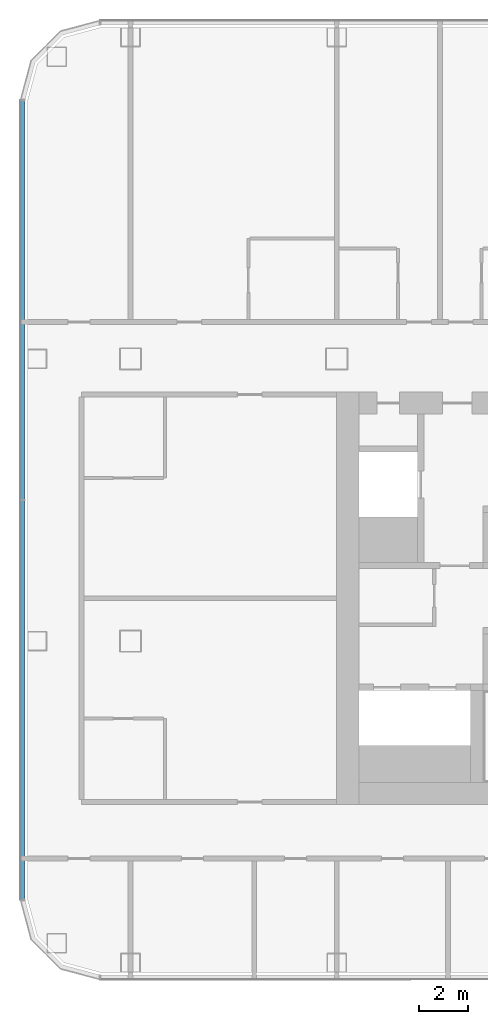
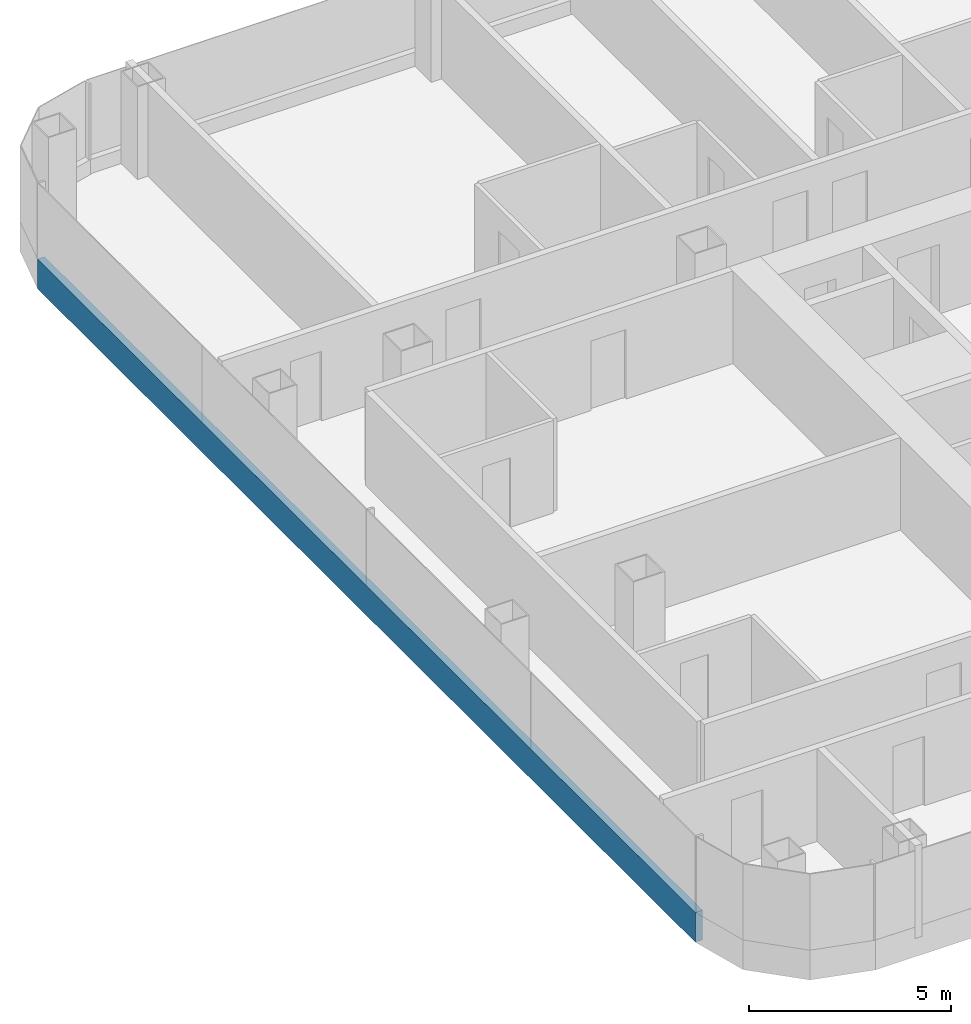
# One storey, part 3 of 29: 1 member, 1 element without a shape of its own.
"""IFC4 building model written with IfcOpenShell, lengths in metres."""

from ifc_helpers import new_model, si_unit, direction, frame, origin, origin_2d, place, context, subcontext, project, spatial, rectangle, extrude, material, layer, layer_set, material_profile, profile_set, type_object, element, aggregate, save


model = new_model("IFC4")

# Units and contexts
model_context = context("Model", 3, precision=1e-05, world=origin(), true_north=direction((0.0, 1.0)))
body_context = subcontext(model_context, "Body", "Model", "MODEL_VIEW")
ifc_project = project(units=[si_unit("LENGTHUNIT", "METRE"), si_unit("AREAUNIT", "SQUARE_METRE"), si_unit("VOLUMEUNIT", "CUBIC_METRE"), si_unit("PLANEANGLEUNIT", "RADIAN"), si_unit("MASSUNIT", "GRAM", prefix="KILO")], contexts=[model_context])

# Site, building, storey
site_placement = place(None, origin())
site = spatial("IfcSite", under=ifc_project, at=site_placement, CompositionType="ELEMENT")
building_placement = place(site_placement, origin())
building = spatial("IfcBuilding", under=site, at=building_placement, Name="Hakoniwa Tower and Hamabe Station Hall", CompositionType="ELEMENT")
storey_placement = place(building_placement, frame((0.0, 0.0, 78.60009765625)))
storey = spatial("IfcBuildingStorey", under=building, at=storey_placement, Name="L21", CompositionType="ELEMENT", Elevation=78.60009765625)

# Curtain wall, member
ifc_material_1 = material(Name="Dark low-e laminated glass", Category="glass")
ifc_layer = layer(ifc_material_1, 0.199951171875)
ifc_layer_set = layer_set([ifc_layer], Name="CW-1 UNITISED GUEST")
curtain_wall_type = type_object("IfcCurtainWallType", Name="CW-1 UNITISED GUEST", PredefinedType="NOTDEFINED", material=ifc_layer_set)
curtain_wall_placement = place(storey_placement, origin())
curtain_wall = element("IfcCurtainWall", 1, at=curtain_wall_placement, inside=storey, type_object=curtain_wall_type, Name="CW-1 curtain wall", PredefinedType="NOTDEFINED")
ifc_material_2 = material(Name="Aluminium 6063-T5 black anodised", Category="aluminium")
ifc_material_profile = material_profile(ifc_material_2, rectangle(XDim=0.199951171875, YDim=0.89990234375, at=origin_2d()), Name="CW SLAB-EDGE BAND 900X200")
ifc_profile_set = profile_set([ifc_material_profile], Name="Aluminium 6063-T5 black anodised")
member_type = type_object("IfcMemberType", Name="CW SLAB-EDGE BAND 900X200", PredefinedType="USERDEFINED", material=ifc_profile_set)
member_placement = place(storey_placement, frame((-46.39990234375, 20.28955078125, -0.10009765625), z_axis=(0.0, -1.0, 0.0), x_axis=(1.0, 0.0, 0.0)))
member = element("IfcMember", 2, at=member_placement, type_object=member_type, Name="CW-1 transom", ObjectType="TRANSOM", PredefinedType="USERDEFINED", context=body_context, shape_type="SweptSolid", body=[
    extrude(rectangle(XDim=0.199951171875, YDim=0.89990234375, at=origin_2d()), origin(), (0.0, 0.0, 1.0), 32.5791015625),
])
aggregate(curtain_wall, [member])

save(model, "model.ifc")
